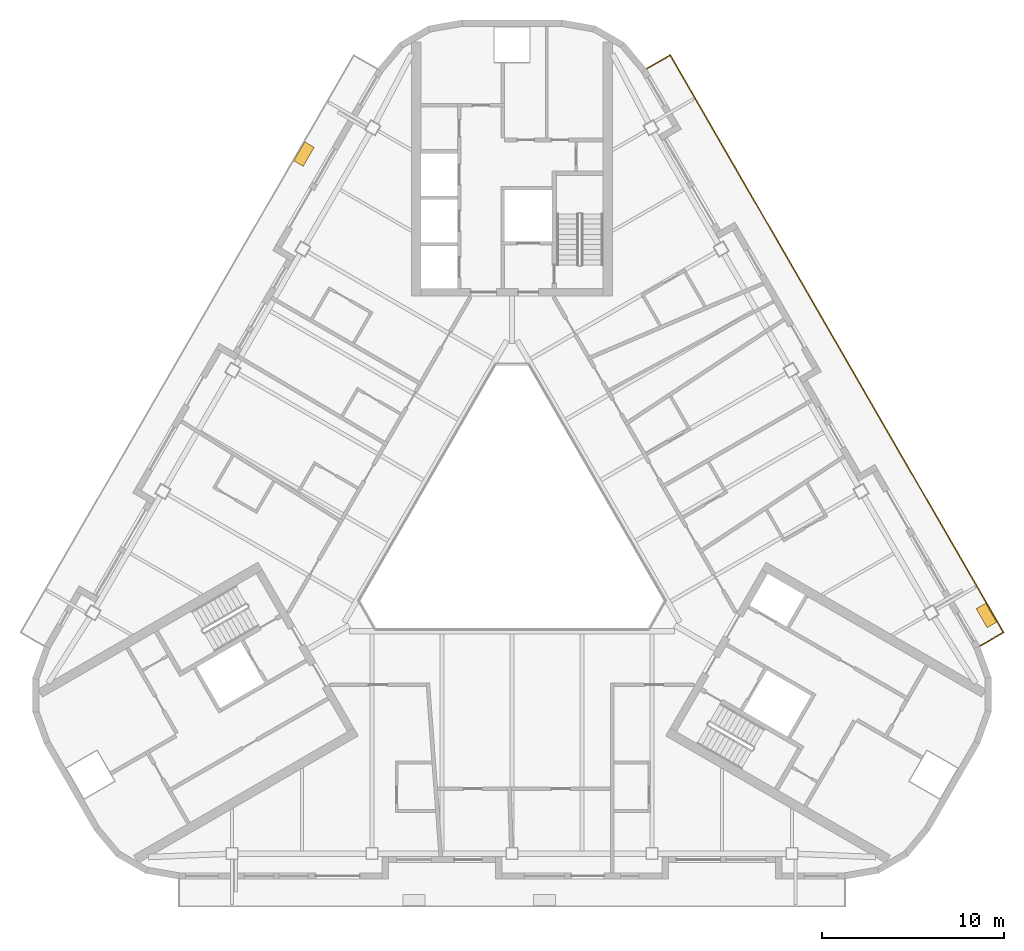
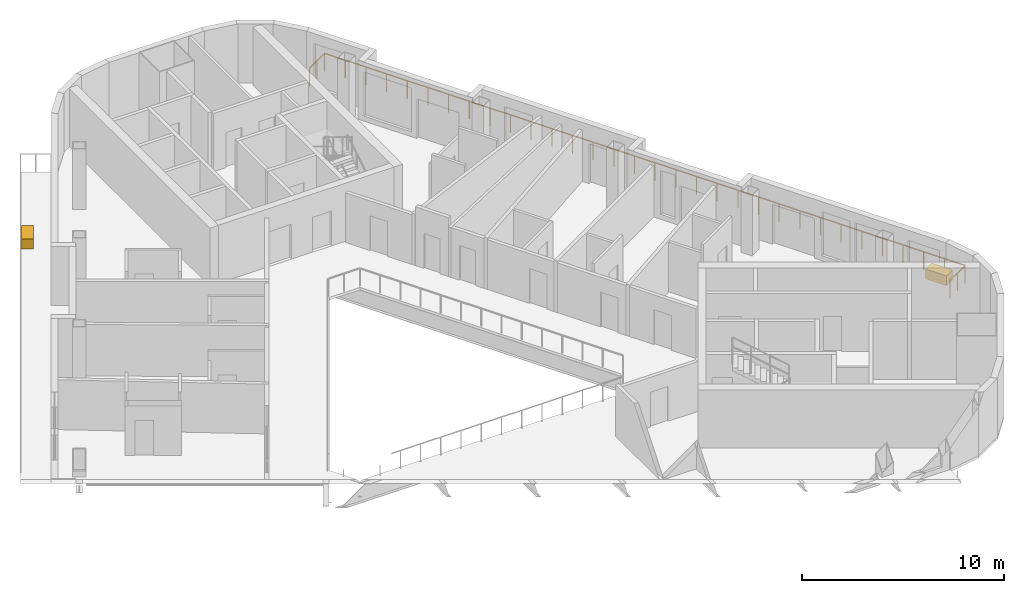
# One storey, part 13 of 14: 2 coverings, 1 railing.
"""IFC4 building model written with IfcOpenShell, lengths in metres."""

from ifc_helpers import new_model, si_unit, direction, frame, origin, origin_2d, place, context, subcontext, project, spatial, rectangle, extrude, material, type_object, element, save


model = new_model("IFC4")

# Units and contexts
model_context = context("Model", 3, precision=1e-05, world=origin(), true_north=direction((0.0, 1.0)))
body_context = subcontext(model_context, "Body", "Model", "MODEL_VIEW")
ifc_project = project(units=[si_unit("LENGTHUNIT", "METRE"), si_unit("AREAUNIT", "SQUARE_METRE"), si_unit("VOLUMEUNIT", "CUBIC_METRE"), si_unit("PLANEANGLEUNIT", "RADIAN"), si_unit("MASSUNIT", "GRAM", prefix="KILO")], contexts=[model_context])

# Site, building, storey
site_placement = place(None, origin())
site = spatial("IfcSite", under=ifc_project, at=site_placement, CompositionType="ELEMENT")
building_placement = place(site_placement, origin())
building = spatial("IfcBuilding", under=site, at=building_placement, Name="Apuvela Tower Hotel", CompositionType="ELEMENT")
storey_placement = place(building_placement, frame((0.0, 0.0, 261.5)))
storey = spatial("IfcBuildingStorey", under=building, at=storey_placement, Name="L64", CompositionType="ELEMENT", Elevation=261.5)

# Railing
ifc_material_1 = material(Name="Stainless steel 316 rail with laminated glass infill", Category="steel")
railing_type = type_object("IfcRailingType", Name="ENV-GUARD-1100", PredefinedType="GUARDRAIL", material=ifc_material_1)
railing_placement = place(storey_placement, frame((25.64501953125, -6.292724609375, 0.0)))
element("IfcRailing", 1, at=railing_placement, inside=storey, type_object=railing_type, Name="Balcony guard NE L64", PredefinedType="GUARDRAIL", context=body_context, shape_type="SweptSolid", body=[
    extrude(rectangle(XDim=0.050048828125, YDim=0.050048828125, at=origin_2d()), frame((0.0, 0.0, 1.0751953125), z_axis=(0.866031096941, 0.499990139034, 0.0), x_axis=(-0.499990139034, 0.866031096941, 0.0)), (0.0, 0.0, 1.0), 1.5),
    extrude(rectangle(XDim=0.050048828125, YDim=0.050048828125, at=origin_2d()), frame((1.299072265625, 0.75, 1.0751953125), z_axis=(-0.499999648787, 0.866025606557, 0.0), x_axis=(-0.866025606557, -0.499999648787, 0.0)), (0.0, 0.0, 1.0), 36.54443359375),
    extrude(rectangle(XDim=0.050048828125, YDim=0.050048828125, at=origin_2d()), frame((-16.97314453125, 32.3984375, 1.0751953125), z_axis=(-0.866031096941, -0.499990139034, 0.0), x_axis=(0.499990139034, -0.866031096941, 0.0)), (0.0, 0.0, 1.0), 1.5),
    extrude(rectangle(XDim=0.0400390625, YDim=0.0400390625, at=origin_2d()), origin(), (0.0, 0.0, 1.0), 1.050048828125),
    extrude(rectangle(XDim=0.0400390625, YDim=0.0400390625, at=origin_2d()), frame((0.6494140625, 0.375, 0.0)), (0.0, 0.0, 1.0), 1.050048828125),
    extrude(rectangle(XDim=0.0400390625, YDim=0.0400390625, at=origin_2d()), frame((1.299072265625, 0.75, 0.0)), (0.0, 0.0, 1.0), 1.050048828125),
    extrude(rectangle(XDim=0.0400390625, YDim=0.0400390625, at=origin_2d()), frame((0.709716796875, 1.77099609375, 0.0)), (0.0, 0.0, 1.0), 1.050048828125),
    extrude(rectangle(XDim=0.0400390625, YDim=0.0400390625, at=origin_2d()), frame((0.1201171875, 2.791748046875, 0.0)), (0.0, 0.0, 1.0), 1.050048828125),
    extrude(rectangle(XDim=0.0400390625, YDim=0.0400390625, at=origin_2d()), frame((-0.46923828125, 3.812744140625, 0.0)), (0.0, 0.0, 1.0), 1.050048828125),
    extrude(rectangle(XDim=0.0400390625, YDim=0.0400390625, at=origin_2d()), frame((-1.05859375, 4.833740234375, 0.0)), (0.0, 0.0, 1.0), 1.050048828125),
    extrude(rectangle(XDim=0.0400390625, YDim=0.0400390625, at=origin_2d()), frame((-1.64794921875, 5.8544921875, 0.0)), (0.0, 0.0, 1.0), 1.050048828125),
    extrude(rectangle(XDim=0.0400390625, YDim=0.0400390625, at=origin_2d()), frame((-2.237548828125, 6.87548828125, 0.0)), (0.0, 0.0, 1.0), 1.050048828125),
    extrude(rectangle(XDim=0.0400390625, YDim=0.0400390625, at=origin_2d()), frame((-2.826904296875, 7.896484375, 0.0)), (0.0, 0.0, 1.0), 1.050048828125),
    extrude(rectangle(XDim=0.0400390625, YDim=0.0400390625, at=origin_2d()), frame((-3.416259765625, 8.917236328125, 0.0)), (0.0, 0.0, 1.0), 1.050048828125),
    extrude(rectangle(XDim=0.0400390625, YDim=0.0400390625, at=origin_2d()), frame((-4.005859375, 9.938232421875, 0.0)), (0.0, 0.0, 1.0), 1.050048828125),
    extrude(rectangle(XDim=0.0400390625, YDim=0.0400390625, at=origin_2d()), frame((-4.59521484375, 10.959228515625, 0.0)), (0.0, 0.0, 1.0), 1.050048828125),
    extrude(rectangle(XDim=0.0400390625, YDim=0.0400390625, at=origin_2d()), frame((-5.1845703125, 11.97998046875, 0.0)), (0.0, 0.0, 1.0), 1.050048828125),
    extrude(rectangle(XDim=0.0400390625, YDim=0.0400390625, at=origin_2d()), frame((-5.77392578125, 13.0009765625, 0.0)), (0.0, 0.0, 1.0), 1.050048828125),
    extrude(rectangle(XDim=0.0400390625, YDim=0.0400390625, at=origin_2d()), frame((-6.363525390625, 14.02197265625, 0.0)), (0.0, 0.0, 1.0), 1.050048828125),
    extrude(rectangle(XDim=0.0400390625, YDim=0.0400390625, at=origin_2d()), frame((-6.952880859375, 15.042724609375, 0.0)), (0.0, 0.0, 1.0), 1.050048828125),
    extrude(rectangle(XDim=0.0400390625, YDim=0.0400390625, at=origin_2d()), frame((-7.542236328125, 16.063720703125, 0.0)), (0.0, 0.0, 1.0), 1.050048828125),
    extrude(rectangle(XDim=0.0400390625, YDim=0.0400390625, at=origin_2d()), frame((-8.1318359375, 17.084716796875, 0.0)), (0.0, 0.0, 1.0), 1.050048828125),
    extrude(rectangle(XDim=0.0400390625, YDim=0.0400390625, at=origin_2d()), frame((-8.72119140625, 18.105712890625, 0.0)), (0.0, 0.0, 1.0), 1.050048828125),
    extrude(rectangle(XDim=0.0400390625, YDim=0.0400390625, at=origin_2d()), frame((-9.310546875, 19.12646484375, 0.0)), (0.0, 0.0, 1.0), 1.050048828125),
    extrude(rectangle(XDim=0.0400390625, YDim=0.0400390625, at=origin_2d()), frame((-9.900146484375, 20.1474609375, 0.0)), (0.0, 0.0, 1.0), 1.050048828125),
    extrude(rectangle(XDim=0.0400390625, YDim=0.0400390625, at=origin_2d()), frame((-10.489501953125, 21.16845703125, 0.0)), (0.0, 0.0, 1.0), 1.050048828125),
    extrude(rectangle(XDim=0.0400390625, YDim=0.0400390625, at=origin_2d()), frame((-11.078857421875, 22.189208984375, 0.0)), (0.0, 0.0, 1.0), 1.050048828125),
    extrude(rectangle(XDim=0.0400390625, YDim=0.0400390625, at=origin_2d()), frame((-11.668212890625, 23.210205078125, 0.0)), (0.0, 0.0, 1.0), 1.050048828125),
    extrude(rectangle(XDim=0.0400390625, YDim=0.0400390625, at=origin_2d()), frame((-12.2578125, 24.231201171875, 0.0)), (0.0, 0.0, 1.0), 1.050048828125),
    extrude(rectangle(XDim=0.0400390625, YDim=0.0400390625, at=origin_2d()), frame((-12.84716796875, 25.251953125, 0.0)), (0.0, 0.0, 1.0), 1.050048828125),
    extrude(rectangle(XDim=0.0400390625, YDim=0.0400390625, at=origin_2d()), frame((-13.4365234375, 26.27294921875, 0.0)), (0.0, 0.0, 1.0), 1.050048828125),
    extrude(rectangle(XDim=0.0400390625, YDim=0.0400390625, at=origin_2d()), frame((-14.026123046875, 27.2939453125, 0.0)), (0.0, 0.0, 1.0), 1.050048828125),
    extrude(rectangle(XDim=0.0400390625, YDim=0.0400390625, at=origin_2d()), frame((-14.615478515625, 28.314697265625, 0.0)), (0.0, 0.0, 1.0), 1.050048828125),
    extrude(rectangle(XDim=0.0400390625, YDim=0.0400390625, at=origin_2d()), frame((-15.204833984375, 29.335693359375, 0.0)), (0.0, 0.0, 1.0), 1.050048828125),
    extrude(rectangle(XDim=0.0400390625, YDim=0.0400390625, at=origin_2d()), frame((-15.794189453125, 30.356689453125, 0.0)), (0.0, 0.0, 1.0), 1.050048828125),
    extrude(rectangle(XDim=0.0400390625, YDim=0.0400390625, at=origin_2d()), frame((-16.3837890625, 31.37744140625, 0.0)), (0.0, 0.0, 1.0), 1.050048828125),
    extrude(rectangle(XDim=0.0400390625, YDim=0.0400390625, at=origin_2d()), frame((-16.97314453125, 32.3984375, 0.0)), (0.0, 0.0, 1.0), 1.050048828125),
    extrude(rectangle(XDim=0.0400390625, YDim=0.0400390625, at=origin_2d()), frame((-17.62255859375, 32.0234375, 0.0)), (0.0, 0.0, 1.0), 1.050048828125),
    extrude(rectangle(XDim=0.0400390625, YDim=0.0400390625, at=origin_2d()), frame((-18.272216796875, 31.6484375, 0.0)), (0.0, 0.0, 1.0), 1.050048828125),
])

# Coverings
ifc_material_2 = material(Name="Planting substrate and soil, planted")
covering_type = type_object("IfcCoveringType", Name="ENV-PLANTER-1200x600", PredefinedType="USERDEFINED", material=ifc_material_2)
for number, where, z_axis, x_axis, name in (
    (2, (26.0009765625, -4.60888671875, 0.0), (0.0, 0.0, 1.0), (-0.5, 0.866025403784, 0.0), "Planter NE3"),
    (3, (-11.40087890625, 20.6787109375, 0.0), (0.0, 0.0, 1.0), (-0.5, -0.866025403784, 0.0), "Planter NW4"),
):
    element("IfcCovering", number, at=place(storey_placement, frame(where, z_axis=z_axis, x_axis=x_axis)), inside=storey, type_object=covering_type, Name=name, ObjectType="PLANTER", PredefinedType="USERDEFINED", context=body_context, shape_type="SweptSolid", body=[
        extrude(rectangle(XDim=1.199951171875, YDim=0.60009765625, at=origin_2d()), origin(), (0.0, 0.0, 1.0), 0.60009765625),
    ])

save(model, "model.ifc")
